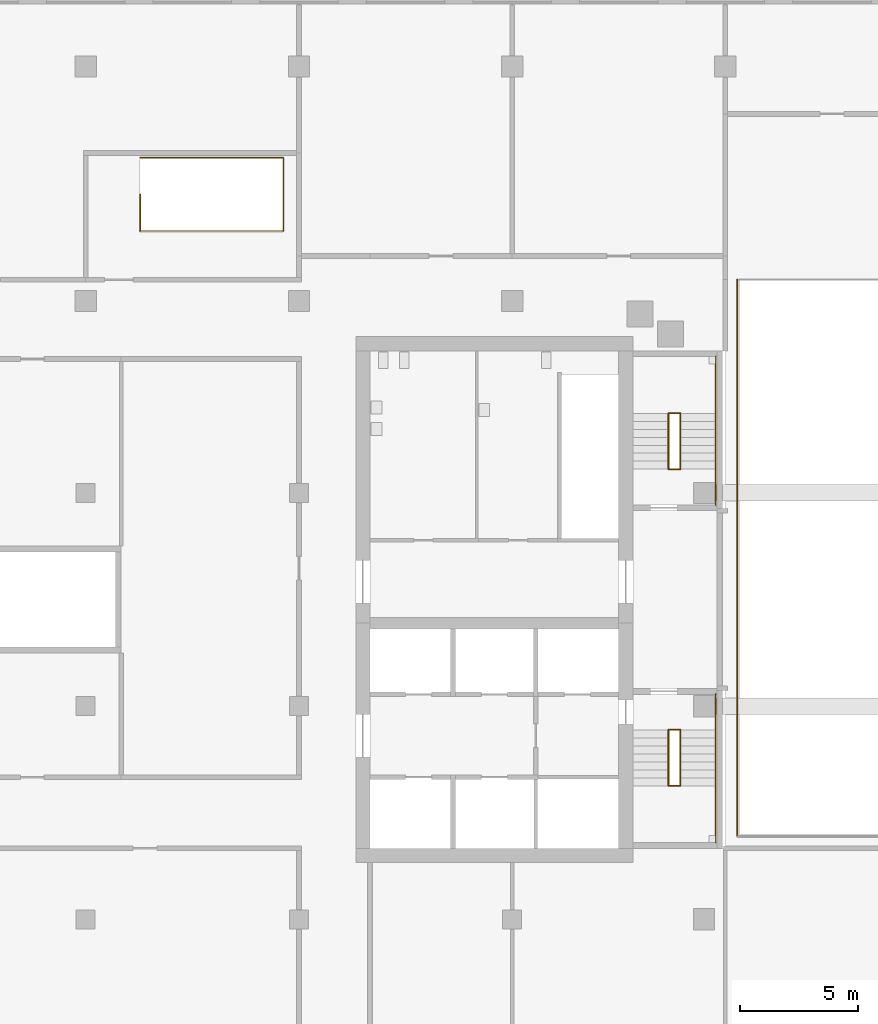
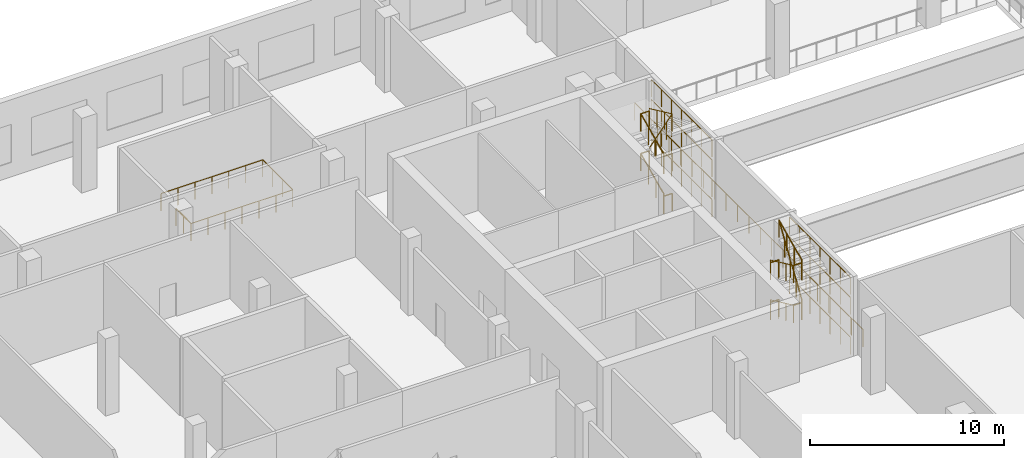
# One storey, part 17 of 20: 27 railings.
"""IFC4 building model written with IfcOpenShell, lengths in metres."""

from ifc_helpers import new_model, si_unit, direction, frame, origin, origin_2d, place, context, subcontext, project, spatial, circle, extrude, material, type_object, element, save


model = new_model("IFC4")

# Units and contexts
model_context = context("Model", 3, precision=1e-05, world=origin(), true_north=direction((0.0, 1.0)))
body_context = subcontext(model_context, "Body", "Model", "MODEL_VIEW")
ifc_project = project(units=[si_unit("LENGTHUNIT", "METRE"), si_unit("AREAUNIT", "SQUARE_METRE"), si_unit("VOLUMEUNIT", "CUBIC_METRE"), si_unit("PLANEANGLEUNIT", "RADIAN"), si_unit("MASSUNIT", "GRAM", prefix="KILO")], contexts=[model_context])

# Site, building, storey
site_placement = place(None, origin())
site = spatial("IfcSite", under=ifc_project, at=site_placement, CompositionType="ELEMENT")
building_placement = place(site_placement, origin())
building = spatial("IfcBuilding", under=site, at=building_placement, Name="Cinnabar Reach Civic Tower", CompositionType="ELEMENT")
storey_placement = place(building_placement, frame((0.0, 0.0, 21.0)))
storey = spatial("IfcBuildingStorey", under=building, at=storey_placement, Name="L04", CompositionType="ELEMENT", Elevation=21.0)

# Railings
ifc_material_1 = material(Name="Stainless steel and glass", Category="steel")
railing_type_1 = type_object("IfcRailingType", Name="Podium guard 1100", PredefinedType="GUARDRAIL", material=ifc_material_1)
railing_1_placement = place(storey_placement, frame((-51.7, 47.05, 0.0)))
element("IfcRailing", 1, at=railing_1_placement, inside=storey, type_object=railing_type_1, Name="Stair well guard PS7 L04", PredefinedType="GUARDRAIL", context=body_context, shape_type="SweptSolid", body=[
    extrude(circle(Radius=0.024, at=origin_2d()), frame((0.0, 0.0, 1.076), z_axis=(1.0, 0.0, 0.0), x_axis=(0.0, 1.0, 0.0)), (0.0, 0.0, 1.0), 6.05),
    extrude(circle(Radius=0.024, at=origin_2d()), frame((6.05, 0.0, 1.076), z_axis=(0.0, 1.0, 0.0), x_axis=(-1.0, 0.0, 0.0)), (0.0, 0.0, 1.0), 3.1),
    extrude(circle(Radius=0.024, at=origin_2d()), frame((6.05, 3.1, 1.076), z_axis=(-1.0, 0.0, 0.0), x_axis=(0.0, -1.0, 0.0)), (0.0, 0.0, 1.0), 6.05),
    extrude(circle(Radius=0.021, at=origin_2d()), origin(), (0.0, 0.0, 1.0), 1.052),
    extrude(circle(Radius=0.021, at=origin_2d()), frame((1.0083, 0.0, 0.0)), (0.0, 0.0, 1.0), 1.052),
    extrude(circle(Radius=0.021, at=origin_2d()), frame((2.0167, 0.0, 0.0)), (0.0, 0.0, 1.0), 1.052),
    extrude(circle(Radius=0.021, at=origin_2d()), frame((3.025, 0.0, 0.0)), (0.0, 0.0, 1.0), 1.052),
    extrude(circle(Radius=0.021, at=origin_2d()), frame((4.0333, 0.0, 0.0)), (0.0, 0.0, 1.0), 1.052),
    extrude(circle(Radius=0.021, at=origin_2d()), frame((5.0417, 0.0, 0.0)), (0.0, 0.0, 1.0), 1.052),
    extrude(circle(Radius=0.021, at=origin_2d()), frame((6.05, 0.0, 0.0)), (0.0, 0.0, 1.0), 1.052),
    extrude(circle(Radius=0.021, at=origin_2d()), frame((6.05, 1.0333, 0.0)), (0.0, 0.0, 1.0), 1.052),
    extrude(circle(Radius=0.021, at=origin_2d()), frame((6.05, 2.0667, 0.0)), (0.0, 0.0, 1.0), 1.052),
    extrude(circle(Radius=0.021, at=origin_2d()), frame((6.05, 3.1, 0.0)), (0.0, 0.0, 1.0), 1.052),
    extrude(circle(Radius=0.021, at=origin_2d()), frame((5.0417, 3.1, 0.0)), (0.0, 0.0, 1.0), 1.052),
    extrude(circle(Radius=0.021, at=origin_2d()), frame((4.0333, 3.1, 0.0)), (0.0, 0.0, 1.0), 1.052),
    extrude(circle(Radius=0.021, at=origin_2d()), frame((3.025, 3.1, 0.0)), (0.0, 0.0, 1.0), 1.052),
    extrude(circle(Radius=0.021, at=origin_2d()), frame((2.0167, 3.1, 0.0)), (0.0, 0.0, 1.0), 1.052),
    extrude(circle(Radius=0.021, at=origin_2d()), frame((1.0083, 3.1, 0.0)), (0.0, 0.0, 1.0), 1.052),
    extrude(circle(Radius=0.021, at=origin_2d()), frame((0.0, 3.1, 0.0)), (0.0, 0.0, 1.0), 1.052),
])
railing_2_placement = place(storey_placement, frame((-51.7, 47.05, 0.0)))
element("IfcRailing", 2, at=railing_2_placement, inside=storey, type_object=railing_type_1, Name="Stair top guard PS7 L04", PredefinedType="GUARDRAIL", context=body_context, shape_type="SweptSolid", body=[
    extrude(circle(Radius=0.024, at=origin_2d()), frame((0.0, 0.0, 1.076), z_axis=(0.0, 1.0, 0.0), x_axis=(-1.0, 0.0, 0.0)), (0.0, 0.0, 1.0), 1.55),
    extrude(circle(Radius=0.021, at=origin_2d()), origin(), (0.0, 0.0, 1.0), 1.052),
    extrude(circle(Radius=0.021, at=origin_2d()), frame((0.0, 0.775, 0.0)), (0.0, 0.0, 1.0), 1.052),
    extrude(circle(Radius=0.021, at=origin_2d()), frame((0.0, 1.55, 0.0)), (0.0, 0.0, 1.0), 1.052),
])
railing_3_placement = place(storey_placement, frame((-26.5, 21.5, 0.0)))
element("IfcRailing", 3, at=railing_3_placement, inside=storey, type_object=railing_type_1, Name="Opening guard L04 cv-w", PredefinedType="GUARDRAIL", context=body_context, shape_type="SweptSolid", body=[
    extrude(circle(Radius=0.024, at=origin_2d()), frame((0.0, 0.0, 1.076), z_axis=(0.0, 1.0, 0.0), x_axis=(-1.0, 0.0, 0.0)), (0.0, 0.0, 1.0), 23.5),
    extrude(circle(Radius=0.021, at=origin_2d()), origin(), (0.0, 0.0, 1.0), 1.052),
    extrude(circle(Radius=0.021, at=origin_2d()), frame((0.0, 1.175, 0.0)), (0.0, 0.0, 1.0), 1.052),
    extrude(circle(Radius=0.021, at=origin_2d()), frame((0.0, 2.35, 0.0)), (0.0, 0.0, 1.0), 1.052),
    extrude(circle(Radius=0.021, at=origin_2d()), frame((0.0, 3.525, 0.0)), (0.0, 0.0, 1.0), 1.052),
    extrude(circle(Radius=0.021, at=origin_2d()), frame((0.0, 4.7, 0.0)), (0.0, 0.0, 1.0), 1.052),
    extrude(circle(Radius=0.021, at=origin_2d()), frame((0.0, 5.875, 0.0)), (0.0, 0.0, 1.0), 1.052),
    extrude(circle(Radius=0.021, at=origin_2d()), frame((0.0, 7.05, 0.0)), (0.0, 0.0, 1.0), 1.052),
    extrude(circle(Radius=0.021, at=origin_2d()), frame((0.0, 8.225, 0.0)), (0.0, 0.0, 1.0), 1.052),
    extrude(circle(Radius=0.021, at=origin_2d()), frame((0.0, 9.4, 0.0)), (0.0, 0.0, 1.0), 1.052),
    extrude(circle(Radius=0.021, at=origin_2d()), frame((0.0, 10.575, 0.0)), (0.0, 0.0, 1.0), 1.052),
    extrude(circle(Radius=0.021, at=origin_2d()), frame((0.0, 11.75, 0.0)), (0.0, 0.0, 1.0), 1.052),
    extrude(circle(Radius=0.021, at=origin_2d()), frame((0.0, 12.925, 0.0)), (0.0, 0.0, 1.0), 1.052),
    extrude(circle(Radius=0.021, at=origin_2d()), frame((0.0, 14.1, 0.0)), (0.0, 0.0, 1.0), 1.052),
    extrude(circle(Radius=0.021, at=origin_2d()), frame((0.0, 15.275, 0.0)), (0.0, 0.0, 1.0), 1.052),
    extrude(circle(Radius=0.021, at=origin_2d()), frame((0.0, 16.45, 0.0)), (0.0, 0.0, 1.0), 1.052),
    extrude(circle(Radius=0.021, at=origin_2d()), frame((0.0, 17.625, 0.0)), (0.0, 0.0, 1.0), 1.052),
    extrude(circle(Radius=0.021, at=origin_2d()), frame((0.0, 18.8, 0.0)), (0.0, 0.0, 1.0), 1.052),
    extrude(circle(Radius=0.021, at=origin_2d()), frame((0.0, 19.975, 0.0)), (0.0, 0.0, 1.0), 1.052),
    extrude(circle(Radius=0.021, at=origin_2d()), frame((0.0, 21.15, 0.0)), (0.0, 0.0, 1.0), 1.052),
    extrude(circle(Radius=0.021, at=origin_2d()), frame((0.0, 22.325, 0.0)), (0.0, 0.0, 1.0), 1.052),
    extrude(circle(Radius=0.021, at=origin_2d()), frame((0.0, 23.5, 0.0)), (0.0, 0.0, 1.0), 1.052),
])
ifc_material_2 = material(Name="Stainless steel", Category="steel")
railing_type_2 = type_object("IfcRailingType", Name="T2 Stair guard 1100", PredefinedType="GUARDRAIL", material=ifc_material_2)
for number, where, name in (
    (4, (-27.4, 21.25, 0.0), "Stair guard 1"),
    (5, (-27.4, 21.25, 1.25), "Stair guard 1"),
    (6, (-27.4, 21.25, 3.75), "Stair guard 1"),
    (7, (-27.4, 21.25, 2.5), "Stair guard 1"),
):
    element("IfcRailing", number, at=place(storey_placement, frame(where)), inside=storey, type_object=railing_type_2, Name=name, PredefinedType="GUARDRAIL", context=body_context, shape_type="SweptSolid", body=[
        extrude(circle(Radius=0.024, at=origin_2d()), frame((0.0, 0.0, 1.076), z_axis=(0.0, 1.0, 0.0), x_axis=(-1.0, 0.0, 0.0)), (0.0, 0.0, 1.0), 6.25),
        extrude(circle(Radius=0.021, at=origin_2d()), origin(), (0.0, 0.0, 1.0), 1.052),
        extrude(circle(Radius=0.021, at=origin_2d()), frame((0.0, 1.0417, 0.0)), (0.0, 0.0, 1.0), 1.052),
        extrude(circle(Radius=0.021, at=origin_2d()), frame((0.0, 2.0833, 0.0)), (0.0, 0.0, 1.0), 1.052),
        extrude(circle(Radius=0.021, at=origin_2d()), frame((0.0, 3.125, 0.0)), (0.0, 0.0, 1.0), 1.052),
        extrude(circle(Radius=0.021, at=origin_2d()), frame((0.0, 4.1667, 0.0)), (0.0, 0.0, 1.0), 1.052),
        extrude(circle(Radius=0.021, at=origin_2d()), frame((0.0, 5.2083, 0.0)), (0.0, 0.0, 1.0), 1.052),
        extrude(circle(Radius=0.021, at=origin_2d()), frame((0.0, 6.25, 0.0)), (0.0, 0.0, 1.0), 1.052),
    ])
for number, where, name in (
    (8, (-29.4, 26.0, 0.0), "Stair guard 1"),
    (9, (-29.4, 23.6375, 1.25), "Stair guard 1"),
):
    element("IfcRailing", number, at=place(storey_placement, frame(where)), inside=storey, type_object=railing_type_2, Name=name, PredefinedType="GUARDRAIL", context=body_context, shape_type="SweptSolid", body=[
        extrude(circle(Radius=0.024, at=origin_2d()), frame((0.0, 0.0, 1.076), z_axis=(1.0, 0.0, 0.0), x_axis=(0.0, 1.0, 0.0)), (0.0, 0.0, 1.0), 0.5),
        extrude(circle(Radius=0.021, at=origin_2d()), origin(), (0.0, 0.0, 1.0), 1.052),
        extrude(circle(Radius=0.021, at=origin_2d()), frame((0.5, 0.0, 0.0)), (0.0, 0.0, 1.0), 1.052),
    ])
railing_4_placement = place(storey_placement, frame((-29.4, 26.0, 0.1562)))
element("IfcRailing", 10, at=railing_4_placement, inside=storey, type_object=railing_type_2, Name="Stair guard 1", PredefinedType="GUARDRAIL", context=body_context, shape_type="SweptSolid", body=[
    extrude(circle(Radius=0.024, at=origin_2d()), frame((0.0, 0.0, 1.076), z_axis=(0.0, -0.907459584921, 0.420139383698), x_axis=(1.0, 0.0, 0.0)), (0.0, 0.0, 1.0), 2.6034),
    extrude(circle(Radius=0.021, at=origin_2d()), origin(), (0.0, 0.0, 1.0), 1.052),
    extrude(circle(Radius=0.021, at=origin_2d()), frame((0.0, -0.7875, 0.3646)), (0.0, 0.0, 1.0), 1.052),
    extrude(circle(Radius=0.021, at=origin_2d()), frame((0.0, -1.575, 0.7292)), (0.0, 0.0, 1.0), 1.052),
    extrude(circle(Radius=0.021, at=origin_2d()), frame((0.0, -2.3625, 1.0938)), (0.0, 0.0, 1.0), 1.052),
])
railing_5_placement = place(storey_placement, frame((-28.9, 23.6375, 1.4062)))
element("IfcRailing", 11, at=railing_5_placement, inside=storey, type_object=railing_type_2, Name="Stair guard 1", PredefinedType="GUARDRAIL", context=body_context, shape_type="SweptSolid", body=[
    extrude(circle(Radius=0.024, at=origin_2d()), frame((0.0, 0.0, 1.076), z_axis=(0.0, 0.549317534027, 0.835613694724), x_axis=(-1.0, 0.0, 0.0)), (0.0, 0.0, 1.0), 4.3008),
    extrude(circle(Radius=0.021, at=origin_2d()), origin(), (0.0, 0.0, 1.0), 1.052),
    extrude(circle(Radius=0.021, at=origin_2d()), frame((0.0, 0.5906, 0.8985)), (0.0, 0.0, 1.0), 1.052),
    extrude(circle(Radius=0.021, at=origin_2d()), frame((0.0, 1.1813, 1.7969)), (0.0, 0.0, 1.0), 1.052),
    extrude(circle(Radius=0.021, at=origin_2d()), frame((0.0, 1.7719, 2.6954)), (0.0, 0.0, 1.0), 1.052),
    extrude(circle(Radius=0.021, at=origin_2d()), frame((0.0, 2.3625, 3.5938)), (0.0, 0.0, 1.0), 1.052),
])
for number, where, name in (
    (12, (-29.4, 26.0, 2.5), "Stair guard 1"),
    (13, (-29.4, 23.6375, 3.75), "Stair guard 1"),
):
    element("IfcRailing", number, at=place(storey_placement, frame(where)), inside=storey, type_object=railing_type_2, Name=name, PredefinedType="GUARDRAIL", context=body_context, shape_type="SweptSolid", body=[
        extrude(circle(Radius=0.024, at=origin_2d()), frame((0.0, 0.0, 1.076), z_axis=(1.0, 0.0, 0.0), x_axis=(0.0, 1.0, 0.0)), (0.0, 0.0, 1.0), 0.5),
        extrude(circle(Radius=0.021, at=origin_2d()), origin(), (0.0, 0.0, 1.0), 1.052),
        extrude(circle(Radius=0.021, at=origin_2d()), frame((0.5, 0.0, 0.0)), (0.0, 0.0, 1.0), 1.052),
    ])
railing_6_placement = place(storey_placement, frame((-29.4, 26.0, 2.6562)))
element("IfcRailing", 14, at=railing_6_placement, inside=storey, type_object=railing_type_2, Name="Stair guard 1", PredefinedType="GUARDRAIL", context=body_context, shape_type="SweptSolid", body=[
    extrude(circle(Radius=0.024, at=origin_2d()), frame((0.0, 0.0, 1.076), z_axis=(0.0, -0.907459584921, 0.420139383698), x_axis=(1.0, 0.0, 0.0)), (0.0, 0.0, 1.0), 2.6034),
    extrude(circle(Radius=0.021, at=origin_2d()), origin(), (0.0, 0.0, 1.0), 1.052),
    extrude(circle(Radius=0.021, at=origin_2d()), frame((0.0, -0.7875, 0.3646)), (0.0, 0.0, 1.0), 1.052),
    extrude(circle(Radius=0.021, at=origin_2d()), frame((0.0, -1.575, 0.7292)), (0.0, 0.0, 1.0), 1.052),
    extrude(circle(Radius=0.021, at=origin_2d()), frame((0.0, -2.3625, 1.0938)), (0.0, 0.0, 1.0), 1.052),
])
railing_7_placement = place(storey_placement, frame((-28.9, 23.6375, 3.9062)))
element("IfcRailing", 15, at=railing_7_placement, inside=storey, type_object=railing_type_2, Name="Stair guard 1", PredefinedType="GUARDRAIL", context=body_context, shape_type="SweptSolid", body=[
    extrude(circle(Radius=0.024, at=origin_2d()), frame((0.0, 0.0, 1.076), z_axis=(0.0, 0.907459584921, 0.420139383698), x_axis=(-1.0, 0.0, 0.0)), (0.0, 0.0, 1.0), 2.6034),
    extrude(circle(Radius=0.021, at=origin_2d()), origin(), (0.0, 0.0, 1.0), 1.052),
    extrude(circle(Radius=0.021, at=origin_2d()), frame((0.0, 0.7875, 0.3646)), (0.0, 0.0, 1.0), 1.052),
    extrude(circle(Radius=0.021, at=origin_2d()), frame((0.0, 1.575, 0.7292)), (0.0, 0.0, 1.0), 1.052),
    extrude(circle(Radius=0.021, at=origin_2d()), frame((0.0, 2.3625, 1.0938)), (0.0, 0.0, 1.0), 1.052),
])
for number, where, name in (
    (16, (-27.4, 35.5, 0.0), "Stair guard 2"),
    (17, (-27.4, 35.5, 1.25), "Stair guard 2"),
    (18, (-27.4, 35.5, 3.75), "Stair guard 2"),
    (19, (-27.4, 35.5, 2.5), "Stair guard 2"),
):
    element("IfcRailing", number, at=place(storey_placement, frame(where)), inside=storey, type_object=railing_type_2, Name=name, PredefinedType="GUARDRAIL", context=body_context, shape_type="SweptSolid", body=[
        extrude(circle(Radius=0.024, at=origin_2d()), frame((0.0, 0.0, 1.076), z_axis=(0.0, 1.0, 0.0), x_axis=(-1.0, 0.0, 0.0)), (0.0, 0.0, 1.0), 6.25),
        extrude(circle(Radius=0.021, at=origin_2d()), origin(), (0.0, 0.0, 1.0), 1.052),
        extrude(circle(Radius=0.021, at=origin_2d()), frame((0.0, 1.0417, 0.0)), (0.0, 0.0, 1.0), 1.052),
        extrude(circle(Radius=0.021, at=origin_2d()), frame((0.0, 2.0833, 0.0)), (0.0, 0.0, 1.0), 1.052),
        extrude(circle(Radius=0.021, at=origin_2d()), frame((0.0, 3.125, 0.0)), (0.0, 0.0, 1.0), 1.052),
        extrude(circle(Radius=0.021, at=origin_2d()), frame((0.0, 4.1667, 0.0)), (0.0, 0.0, 1.0), 1.052),
        extrude(circle(Radius=0.021, at=origin_2d()), frame((0.0, 5.2083, 0.0)), (0.0, 0.0, 1.0), 1.052),
        extrude(circle(Radius=0.021, at=origin_2d()), frame((0.0, 6.25, 0.0)), (0.0, 0.0, 1.0), 1.052),
    ])
for number, where, name in (
    (20, (-29.4, 37.0, 0.0), "Stair guard 2"),
    (21, (-29.4, 39.3625, 1.25), "Stair guard 2"),
):
    element("IfcRailing", number, at=place(storey_placement, frame(where)), inside=storey, type_object=railing_type_2, Name=name, PredefinedType="GUARDRAIL", context=body_context, shape_type="SweptSolid", body=[
        extrude(circle(Radius=0.024, at=origin_2d()), frame((0.0, 0.0, 1.076), z_axis=(1.0, 0.0, 0.0), x_axis=(0.0, 1.0, 0.0)), (0.0, 0.0, 1.0), 0.5),
        extrude(circle(Radius=0.021, at=origin_2d()), origin(), (0.0, 0.0, 1.0), 1.052),
        extrude(circle(Radius=0.021, at=origin_2d()), frame((0.5, 0.0, 0.0)), (0.0, 0.0, 1.0), 1.052),
    ])
railing_8_placement = place(storey_placement, frame((-29.4, 37.0, 0.1562)))
element("IfcRailing", 22, at=railing_8_placement, inside=storey, type_object=railing_type_2, Name="Stair guard 2", PredefinedType="GUARDRAIL", context=body_context, shape_type="SweptSolid", body=[
    extrude(circle(Radius=0.024, at=origin_2d()), frame((0.0, 0.0, 1.076), z_axis=(0.0, 0.907459584921, 0.420139383698), x_axis=(-1.0, 0.0, 0.0)), (0.0, 0.0, 1.0), 2.6034),
    extrude(circle(Radius=0.021, at=origin_2d()), origin(), (0.0, 0.0, 1.0), 1.052),
    extrude(circle(Radius=0.021, at=origin_2d()), frame((0.0, 0.7875, 0.3646)), (0.0, 0.0, 1.0), 1.052),
    extrude(circle(Radius=0.021, at=origin_2d()), frame((0.0, 1.575, 0.7292)), (0.0, 0.0, 1.0), 1.052),
    extrude(circle(Radius=0.021, at=origin_2d()), frame((0.0, 2.3625, 1.0938)), (0.0, 0.0, 1.0), 1.052),
])
railing_9_placement = place(storey_placement, frame((-28.9, 39.3625, 1.4062)))
element("IfcRailing", 23, at=railing_9_placement, inside=storey, type_object=railing_type_2, Name="Stair guard 2", PredefinedType="GUARDRAIL", context=body_context, shape_type="SweptSolid", body=[
    extrude(circle(Radius=0.024, at=origin_2d()), frame((0.0, 0.0, 1.076), z_axis=(0.0, -0.549317534027, 0.835613694724), x_axis=(1.0, 0.0, 0.0)), (0.0, 0.0, 1.0), 4.3008),
    extrude(circle(Radius=0.021, at=origin_2d()), origin(), (0.0, 0.0, 1.0), 1.052),
    extrude(circle(Radius=0.021, at=origin_2d()), frame((0.0, -0.5906, 0.8985)), (0.0, 0.0, 1.0), 1.052),
    extrude(circle(Radius=0.021, at=origin_2d()), frame((0.0, -1.1812, 1.7969)), (0.0, 0.0, 1.0), 1.052),
    extrude(circle(Radius=0.021, at=origin_2d()), frame((0.0, -1.7719, 2.6954)), (0.0, 0.0, 1.0), 1.052),
    extrude(circle(Radius=0.021, at=origin_2d()), frame((0.0, -2.3625, 3.5938)), (0.0, 0.0, 1.0), 1.052),
])
for number, where, name in (
    (24, (-29.4, 37.0, 2.5), "Stair guard 2"),
    (25, (-29.4, 39.3625, 3.75), "Stair guard 2"),
):
    element("IfcRailing", number, at=place(storey_placement, frame(where)), inside=storey, type_object=railing_type_2, Name=name, PredefinedType="GUARDRAIL", context=body_context, shape_type="SweptSolid", body=[
        extrude(circle(Radius=0.024, at=origin_2d()), frame((0.0, 0.0, 1.076), z_axis=(1.0, 0.0, 0.0), x_axis=(0.0, 1.0, 0.0)), (0.0, 0.0, 1.0), 0.5),
        extrude(circle(Radius=0.021, at=origin_2d()), origin(), (0.0, 0.0, 1.0), 1.052),
        extrude(circle(Radius=0.021, at=origin_2d()), frame((0.5, 0.0, 0.0)), (0.0, 0.0, 1.0), 1.052),
    ])
railing_10_placement = place(storey_placement, frame((-29.4, 37.0, 2.6562)))
element("IfcRailing", 26, at=railing_10_placement, inside=storey, type_object=railing_type_2, Name="Stair guard 2", PredefinedType="GUARDRAIL", context=body_context, shape_type="SweptSolid", body=[
    extrude(circle(Radius=0.024, at=origin_2d()), frame((0.0, 0.0, 1.076), z_axis=(0.0, 0.907459584921, 0.420139383698), x_axis=(-1.0, 0.0, 0.0)), (0.0, 0.0, 1.0), 2.6034),
    extrude(circle(Radius=0.021, at=origin_2d()), origin(), (0.0, 0.0, 1.0), 1.052),
    extrude(circle(Radius=0.021, at=origin_2d()), frame((0.0, 0.7875, 0.3646)), (0.0, 0.0, 1.0), 1.052),
    extrude(circle(Radius=0.021, at=origin_2d()), frame((0.0, 1.575, 0.7292)), (0.0, 0.0, 1.0), 1.052),
    extrude(circle(Radius=0.021, at=origin_2d()), frame((0.0, 2.3625, 1.0938)), (0.0, 0.0, 1.0), 1.052),
])
railing_11_placement = place(storey_placement, frame((-28.9, 39.3625, 3.9062)))
element("IfcRailing", 27, at=railing_11_placement, inside=storey, type_object=railing_type_2, Name="Stair guard 2", PredefinedType="GUARDRAIL", context=body_context, shape_type="SweptSolid", body=[
    extrude(circle(Radius=0.024, at=origin_2d()), frame((0.0, 0.0, 1.076), z_axis=(0.0, -0.907459584921, 0.420139383698), x_axis=(1.0, 0.0, 0.0)), (0.0, 0.0, 1.0), 2.6034),
    extrude(circle(Radius=0.021, at=origin_2d()), origin(), (0.0, 0.0, 1.0), 1.052),
    extrude(circle(Radius=0.021, at=origin_2d()), frame((0.0, -0.7875, 0.3646)), (0.0, 0.0, 1.0), 1.052),
    extrude(circle(Radius=0.021, at=origin_2d()), frame((0.0, -1.575, 0.7292)), (0.0, 0.0, 1.0), 1.052),
    extrude(circle(Radius=0.021, at=origin_2d()), frame((0.0, -2.3625, 1.0938)), (0.0, 0.0, 1.0), 1.052),
])

save(model, "model.ifc")
